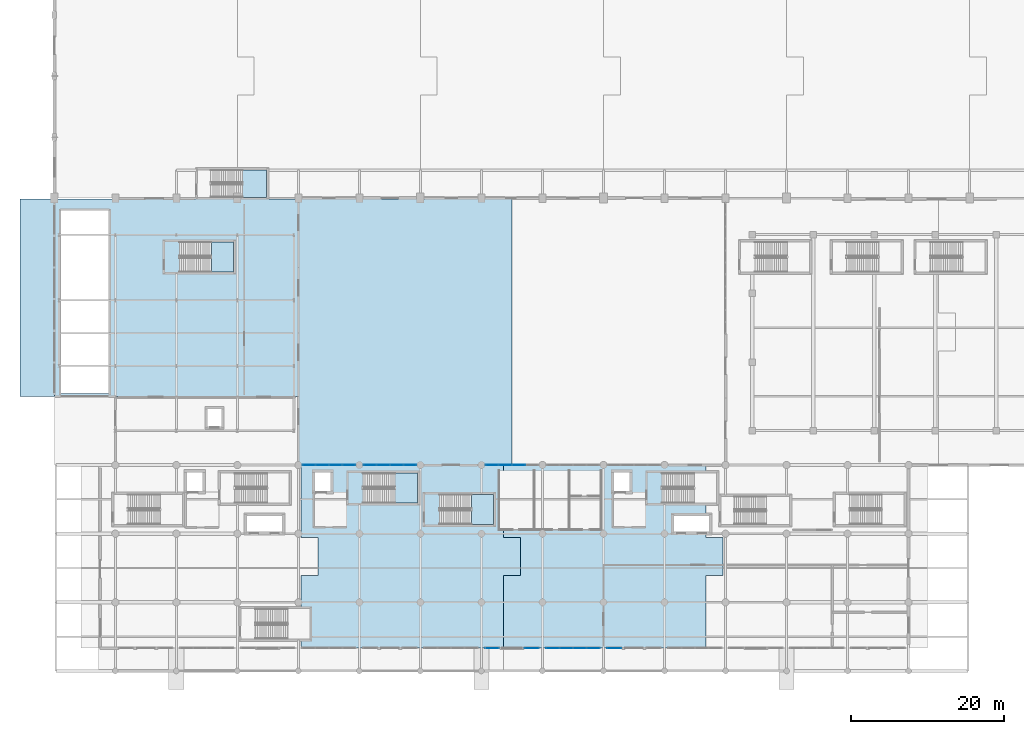
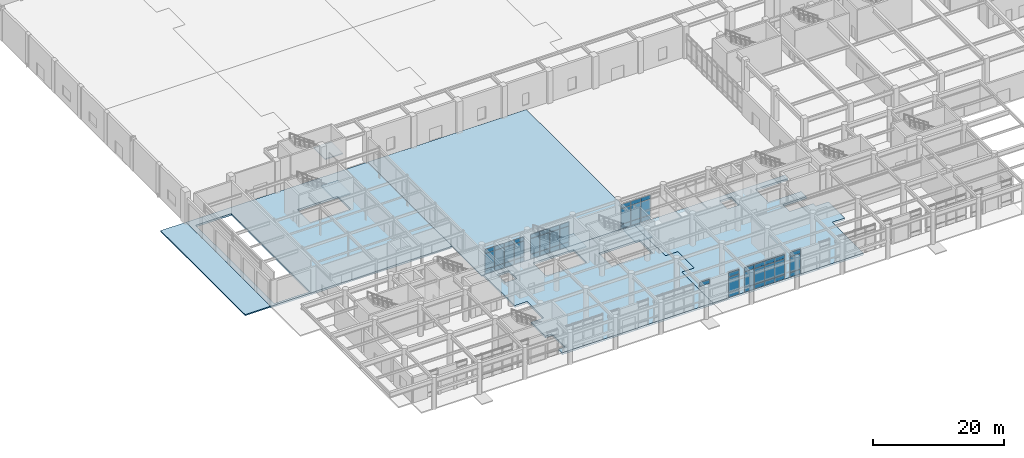
# One storey, part 20 of 49: 52 plates, 9 slabs, 11 elements without a shape of their own.
"""IFC4 building model written with IfcOpenShell, lengths in metres."""

from ifc_helpers import new_model, si_unit, direction, frame, origin, origin_2d, place, context, subcontext, project, spatial, polyline, rectangle, outline, extrude, material, layer, layer_set, type_object, element, aggregate, save


model = new_model("IFC4")

# Units and contexts
model_context = context("Model", 3, precision=1e-05, world=origin(), true_north=direction((0.0, 1.0)))
body_context = subcontext(model_context, "Body", "Model", "MODEL_VIEW")
ifc_project = project(units=[si_unit("LENGTHUNIT", "METRE"), si_unit("AREAUNIT", "SQUARE_METRE"), si_unit("VOLUMEUNIT", "CUBIC_METRE"), si_unit("PLANEANGLEUNIT", "RADIAN"), si_unit("MASSUNIT", "GRAM", prefix="KILO")], contexts=[model_context])

# Site, building, storey
site_placement = place(None, origin())
site = spatial("IfcSite", under=ifc_project, at=site_placement, CompositionType="ELEMENT")
building_placement = place(site_placement, origin())
building = spatial("IfcBuilding", under=site, at=building_placement, Name="Tlacozan Convention Centre", CompositionType="ELEMENT")
storey_placement = place(building_placement, origin())
storey = spatial("IfcBuildingStorey", under=building, at=storey_placement, Name="L00", CompositionType="ELEMENT", Elevation=0.0)

# Curtain wall, plates
ifc_material_1 = material(Name="Dark Bronze Anodised Aluminium", Category="aluminium")
ifc_layer_1 = layer(ifc_material_1, 0.199951171875)
ifc_layer_set_1 = layer_set([ifc_layer_1], Name="Dark Bronze Anodised Aluminium")
curtain_wall_type_1 = type_object("IfcCurtainWallType", Name="Unitised Courtyard Cloister L00 CW07", PredefinedType="NOTDEFINED", material=ifc_layer_set_1)
curtain_wall_1_placement = place(storey_placement, origin())
curtain_wall_1 = element("IfcCurtainWall", 1, at=curtain_wall_1_placement, inside=storey, type_object=curtain_wall_type_1, Name="L00 CW-07 Run 50", PredefinedType="NOTDEFINED")
ifc_material_2 = material(Name="Solar Control Double Low-E Argon Glazing", Category="glass")
ifc_layer_2 = layer(ifc_material_2, 0.030029296875)
ifc_layer_set_2 = layer_set([ifc_layer_2], Name="Solar Control Double Low-E Argon Glazing")
plate_type_1 = type_object("IfcPlateType", Name="Double Low-E Acoustic CW Panel 30", PredefinedType="CURTAIN_PANEL", material=ifc_layer_set_2)
plate_1_placement = place(storey_placement, frame((33.393798828125, 27.0, 0.074951171875), z_axis=(0.0, 0.0, 1.0), x_axis=(1.0, 0.0, 0.0)))
plate_1 = element("IfcPlate", 2, at=plate_1_placement, type_object=plate_type_1, Name="CW-07 panel 1.1", PredefinedType="CURTAIN_PANEL", context=body_context, shape_type="SweptSolid", body=[
    extrude(rectangle(XDim=1.637451171875, YDim=0.030029296875, at=origin_2d()), origin(), (0.0, 0.0, 1.0), 0.78759765625),
])
plate_2_placement = place(storey_placement, frame((33.393798828125, 27.0, 0.9375), z_axis=(0.0, 0.0, 1.0), x_axis=(1.0, 0.0, 0.0)))
plate_2 = element("IfcPlate", 3, at=plate_2_placement, type_object=plate_type_1, Name="CW-07 panel 1.2", PredefinedType="CURTAIN_PANEL", context=body_context, shape_type="SweptSolid", body=[
    extrude(rectangle(XDim=1.637451171875, YDim=0.030029296875, at=origin_2d()), origin(), (0.0, 0.0, 1.0), 2.875),
])
plate_3_placement = place(storey_placement, frame((33.393798828125, 27.0, 3.8876953125), z_axis=(0.0, 0.0, 1.0), x_axis=(1.0, 0.0, 0.0)))
plate_3 = element("IfcPlate", 4, at=plate_3_placement, type_object=plate_type_1, Name="CW-07 panel 1.3", PredefinedType="CURTAIN_PANEL", context=body_context, shape_type="SweptSolid", body=[
    extrude(rectangle(XDim=1.637451171875, YDim=0.030029296875, at=origin_2d()), origin(), (0.0, 0.0, 1.0), 0.737548828125),
])
plate_4_placement = place(storey_placement, frame((35.125, 27.0, 0.074951171875), z_axis=(0.0, 0.0, 1.0), x_axis=(1.0, 0.0, 0.0)))
plate_4 = element("IfcPlate", 5, at=plate_4_placement, type_object=plate_type_1, Name="CW-07 panel 2.1", PredefinedType="CURTAIN_PANEL", context=body_context, shape_type="SweptSolid", body=[
    extrude(rectangle(XDim=1.675048828125, YDim=0.030029296875, at=origin_2d()), origin(), (0.0, 0.0, 1.0), 0.78759765625),
])
plate_5_placement = place(storey_placement, frame((35.125, 27.0, 0.9375), z_axis=(0.0, 0.0, 1.0), x_axis=(1.0, 0.0, 0.0)))
plate_5 = element("IfcPlate", 6, at=plate_5_placement, type_object=plate_type_1, Name="CW-07 panel 2.2", PredefinedType="CURTAIN_PANEL", context=body_context, shape_type="SweptSolid", body=[
    extrude(rectangle(XDim=1.675048828125, YDim=0.030029296875, at=origin_2d()), origin(), (0.0, 0.0, 1.0), 2.875),
])
plate_6_placement = place(storey_placement, frame((35.125, 27.0, 3.8876953125), z_axis=(0.0, 0.0, 1.0), x_axis=(1.0, 0.0, 0.0)))
plate_6 = element("IfcPlate", 7, at=plate_6_placement, type_object=plate_type_1, Name="CW-07 panel 2.3", PredefinedType="CURTAIN_PANEL", context=body_context, shape_type="SweptSolid", body=[
    extrude(rectangle(XDim=1.675048828125, YDim=0.030029296875, at=origin_2d()), origin(), (0.0, 0.0, 1.0), 0.737548828125),
])
plate_7_placement = place(storey_placement, frame((36.875, 27.0, 0.074951171875), z_axis=(0.0, 0.0, 1.0), x_axis=(1.0, 0.0, 0.0)))
plate_7 = element("IfcPlate", 8, at=plate_7_placement, type_object=plate_type_1, Name="CW-07 panel 3.1", PredefinedType="CURTAIN_PANEL", context=body_context, shape_type="SweptSolid", body=[
    extrude(rectangle(XDim=1.675048828125, YDim=0.030029296875, at=origin_2d()), origin(), (0.0, 0.0, 1.0), 0.78759765625),
])
plate_8_placement = place(storey_placement, frame((36.875, 27.0, 0.9375), z_axis=(0.0, 0.0, 1.0), x_axis=(1.0, 0.0, 0.0)))
plate_8 = element("IfcPlate", 9, at=plate_8_placement, type_object=plate_type_1, Name="CW-07 panel 3.2", PredefinedType="CURTAIN_PANEL", context=body_context, shape_type="SweptSolid", body=[
    extrude(rectangle(XDim=1.675048828125, YDim=0.030029296875, at=origin_2d()), origin(), (0.0, 0.0, 1.0), 2.875),
])
plate_9_placement = place(storey_placement, frame((36.875, 27.0, 3.8876953125), z_axis=(0.0, 0.0, 1.0), x_axis=(1.0, 0.0, 0.0)))
plate_9 = element("IfcPlate", 10, at=plate_9_placement, type_object=plate_type_1, Name="CW-07 panel 3.3", PredefinedType="CURTAIN_PANEL", context=body_context, shape_type="SweptSolid", body=[
    extrude(rectangle(XDim=1.675048828125, YDim=0.030029296875, at=origin_2d()), origin(), (0.0, 0.0, 1.0), 0.737548828125),
])
plate_10_placement = place(storey_placement, frame((38.606201171875, 27.0, 0.074951171875), z_axis=(0.0, 0.0, 1.0), x_axis=(1.0, 0.0, 0.0)))
plate_10 = element("IfcPlate", 11, at=plate_10_placement, type_object=plate_type_1, Name="CW-07 panel 4.1", PredefinedType="CURTAIN_PANEL", context=body_context, shape_type="SweptSolid", body=[
    extrude(rectangle(XDim=1.637451171875, YDim=0.030029296875, at=origin_2d()), origin(), (0.0, 0.0, 1.0), 0.78759765625),
])
plate_11_placement = place(storey_placement, frame((38.606201171875, 27.0, 0.9375), z_axis=(0.0, 0.0, 1.0), x_axis=(1.0, 0.0, 0.0)))
plate_11 = element("IfcPlate", 12, at=plate_11_placement, type_object=plate_type_1, Name="CW-07 panel 4.2", PredefinedType="CURTAIN_PANEL", context=body_context, shape_type="SweptSolid", body=[
    extrude(rectangle(XDim=1.637451171875, YDim=0.030029296875, at=origin_2d()), origin(), (0.0, 0.0, 1.0), 2.875),
])
plate_12_placement = place(storey_placement, frame((38.606201171875, 27.0, 3.8876953125), z_axis=(0.0, 0.0, 1.0), x_axis=(1.0, 0.0, 0.0)))
plate_12 = element("IfcPlate", 13, at=plate_12_placement, type_object=plate_type_1, Name="CW-07 panel 4.3", PredefinedType="CURTAIN_PANEL", context=body_context, shape_type="SweptSolid", body=[
    extrude(rectangle(XDim=1.637451171875, YDim=0.030029296875, at=origin_2d()), origin(), (0.0, 0.0, 1.0), 0.737548828125),
])
aggregate(curtain_wall_1, [plate_1, plate_2, plate_3, plate_4, plate_5, plate_6, plate_7, plate_8, plate_9, plate_10, plate_11, plate_12])

curtain_wall_2_placement = place(storey_placement, origin())
curtain_wall_2 = element("IfcCurtainWall", 14, at=curtain_wall_2_placement, inside=storey, type_object=curtain_wall_type_1, Name="L00 CW-07 Run 51", PredefinedType="NOTDEFINED")
plate_13_placement = place(storey_placement, frame((41.393798828125, 27.0, 0.074951171875), z_axis=(0.0, 0.0, 1.0), x_axis=(1.0, 0.0, 0.0)))
plate_13 = element("IfcPlate", 15, at=plate_13_placement, type_object=plate_type_1, Name="CW-07 panel 1.1", PredefinedType="CURTAIN_PANEL", context=body_context, shape_type="SweptSolid", body=[
    extrude(rectangle(XDim=1.637451171875, YDim=0.030029296875, at=origin_2d()), origin(), (0.0, 0.0, 1.0), 0.78759765625),
])
plate_14_placement = place(storey_placement, frame((41.393798828125, 27.0, 0.9375), z_axis=(0.0, 0.0, 1.0), x_axis=(1.0, 0.0, 0.0)))
plate_14 = element("IfcPlate", 16, at=plate_14_placement, type_object=plate_type_1, Name="CW-07 panel 1.2", PredefinedType="CURTAIN_PANEL", context=body_context, shape_type="SweptSolid", body=[
    extrude(rectangle(XDim=1.637451171875, YDim=0.030029296875, at=origin_2d()), origin(), (0.0, 0.0, 1.0), 2.875),
])
plate_15_placement = place(storey_placement, frame((41.393798828125, 27.0, 3.8876953125), z_axis=(0.0, 0.0, 1.0), x_axis=(1.0, 0.0, 0.0)))
plate_15 = element("IfcPlate", 17, at=plate_15_placement, type_object=plate_type_1, Name="CW-07 panel 1.3", PredefinedType="CURTAIN_PANEL", context=body_context, shape_type="SweptSolid", body=[
    extrude(rectangle(XDim=1.637451171875, YDim=0.030029296875, at=origin_2d()), origin(), (0.0, 0.0, 1.0), 0.737548828125),
])
plate_16_placement = place(storey_placement, frame((43.125, 27.0, 0.074951171875), z_axis=(0.0, 0.0, 1.0), x_axis=(1.0, 0.0, 0.0)))
plate_16 = element("IfcPlate", 18, at=plate_16_placement, type_object=plate_type_1, Name="CW-07 panel 2.1", PredefinedType="CURTAIN_PANEL", context=body_context, shape_type="SweptSolid", body=[
    extrude(rectangle(XDim=1.675048828125, YDim=0.030029296875, at=origin_2d()), origin(), (0.0, 0.0, 1.0), 0.78759765625),
])
plate_17_placement = place(storey_placement, frame((43.125, 27.0, 0.9375), z_axis=(0.0, 0.0, 1.0), x_axis=(1.0, 0.0, 0.0)))
plate_17 = element("IfcPlate", 19, at=plate_17_placement, type_object=plate_type_1, Name="CW-07 panel 2.2", PredefinedType="CURTAIN_PANEL", context=body_context, shape_type="SweptSolid", body=[
    extrude(rectangle(XDim=1.675048828125, YDim=0.030029296875, at=origin_2d()), origin(), (0.0, 0.0, 1.0), 2.875),
])
plate_18_placement = place(storey_placement, frame((43.125, 27.0, 3.8876953125), z_axis=(0.0, 0.0, 1.0), x_axis=(1.0, 0.0, 0.0)))
plate_18 = element("IfcPlate", 20, at=plate_18_placement, type_object=plate_type_1, Name="CW-07 panel 2.3", PredefinedType="CURTAIN_PANEL", context=body_context, shape_type="SweptSolid", body=[
    extrude(rectangle(XDim=1.675048828125, YDim=0.030029296875, at=origin_2d()), origin(), (0.0, 0.0, 1.0), 0.737548828125),
])
plate_19_placement = place(storey_placement, frame((44.875, 27.0, 0.074951171875), z_axis=(0.0, 0.0, 1.0), x_axis=(1.0, 0.0, 0.0)))
plate_19 = element("IfcPlate", 21, at=plate_19_placement, type_object=plate_type_1, Name="CW-07 panel 3.1", PredefinedType="CURTAIN_PANEL", context=body_context, shape_type="SweptSolid", body=[
    extrude(rectangle(XDim=1.675048828125, YDim=0.030029296875, at=origin_2d()), origin(), (0.0, 0.0, 1.0), 0.78759765625),
])
plate_20_placement = place(storey_placement, frame((44.875, 27.0, 0.9375), z_axis=(0.0, 0.0, 1.0), x_axis=(1.0, 0.0, 0.0)))
plate_20 = element("IfcPlate", 22, at=plate_20_placement, type_object=plate_type_1, Name="CW-07 panel 3.2", PredefinedType="CURTAIN_PANEL", context=body_context, shape_type="SweptSolid", body=[
    extrude(rectangle(XDim=1.675048828125, YDim=0.030029296875, at=origin_2d()), origin(), (0.0, 0.0, 1.0), 2.875),
])
plate_21_placement = place(storey_placement, frame((44.875, 27.0, 3.8876953125), z_axis=(0.0, 0.0, 1.0), x_axis=(1.0, 0.0, 0.0)))
plate_21 = element("IfcPlate", 23, at=plate_21_placement, type_object=plate_type_1, Name="CW-07 panel 3.3", PredefinedType="CURTAIN_PANEL", context=body_context, shape_type="SweptSolid", body=[
    extrude(rectangle(XDim=1.675048828125, YDim=0.030029296875, at=origin_2d()), origin(), (0.0, 0.0, 1.0), 0.737548828125),
])
plate_22_placement = place(storey_placement, frame((46.606201171875, 27.0, 0.074951171875), z_axis=(0.0, 0.0, 1.0), x_axis=(1.0, 0.0, 0.0)))
plate_22 = element("IfcPlate", 24, at=plate_22_placement, type_object=plate_type_1, Name="CW-07 panel 4.1", PredefinedType="CURTAIN_PANEL", context=body_context, shape_type="SweptSolid", body=[
    extrude(rectangle(XDim=1.637451171875, YDim=0.030029296875, at=origin_2d()), origin(), (0.0, 0.0, 1.0), 0.78759765625),
])
plate_23_placement = place(storey_placement, frame((46.606201171875, 27.0, 0.9375), z_axis=(0.0, 0.0, 1.0), x_axis=(1.0, 0.0, 0.0)))
plate_23 = element("IfcPlate", 25, at=plate_23_placement, type_object=plate_type_1, Name="CW-07 panel 4.2", PredefinedType="CURTAIN_PANEL", context=body_context, shape_type="SweptSolid", body=[
    extrude(rectangle(XDim=1.637451171875, YDim=0.030029296875, at=origin_2d()), origin(), (0.0, 0.0, 1.0), 2.875),
])
plate_24_placement = place(storey_placement, frame((46.606201171875, 27.0, 3.8876953125), z_axis=(0.0, 0.0, 1.0), x_axis=(1.0, 0.0, 0.0)))
plate_24 = element("IfcPlate", 26, at=plate_24_placement, type_object=plate_type_1, Name="CW-07 panel 4.3", PredefinedType="CURTAIN_PANEL", context=body_context, shape_type="SweptSolid", body=[
    extrude(rectangle(XDim=1.637451171875, YDim=0.030029296875, at=origin_2d()), origin(), (0.0, 0.0, 1.0), 0.737548828125),
])
aggregate(curtain_wall_2, [plate_13, plate_14, plate_15, plate_16, plate_17, plate_18, plate_19, plate_20, plate_21, plate_22, plate_23, plate_24])

curtain_wall_3_placement = place(storey_placement, origin())
curtain_wall_3 = element("IfcCurtainWall", 27, at=curtain_wall_3_placement, inside=storey, type_object=curtain_wall_type_1, Name="L00 CW-07 Run 52", PredefinedType="NOTDEFINED")
plate_25_placement = place(storey_placement, frame((57.393798828125, 27.0, 0.074951171875), z_axis=(0.0, 0.0, 1.0), x_axis=(1.0, 0.0, 0.0)))
plate_25 = element("IfcPlate", 28, at=plate_25_placement, type_object=plate_type_1, Name="CW-07 panel 1.1", PredefinedType="CURTAIN_PANEL", context=body_context, shape_type="SweptSolid", body=[
    extrude(rectangle(XDim=1.637451171875, YDim=0.030029296875, at=origin_2d()), origin(), (0.0, 0.0, 1.0), 0.78759765625),
])
plate_26_placement = place(storey_placement, frame((57.393798828125, 27.0, 0.9375), z_axis=(0.0, 0.0, 1.0), x_axis=(1.0, 0.0, 0.0)))
plate_26 = element("IfcPlate", 29, at=plate_26_placement, type_object=plate_type_1, Name="CW-07 panel 1.2", PredefinedType="CURTAIN_PANEL", context=body_context, shape_type="SweptSolid", body=[
    extrude(rectangle(XDim=1.637451171875, YDim=0.030029296875, at=origin_2d()), origin(), (0.0, 0.0, 1.0), 2.875),
])
plate_27_placement = place(storey_placement, frame((57.393798828125, 27.0, 3.8876953125), z_axis=(0.0, 0.0, 1.0), x_axis=(1.0, 0.0, 0.0)))
plate_27 = element("IfcPlate", 30, at=plate_27_placement, type_object=plate_type_1, Name="CW-07 panel 1.3", PredefinedType="CURTAIN_PANEL", context=body_context, shape_type="SweptSolid", body=[
    extrude(rectangle(XDim=1.637451171875, YDim=0.030029296875, at=origin_2d()), origin(), (0.0, 0.0, 1.0), 0.737548828125),
])
plate_28_placement = place(storey_placement, frame((59.125, 27.0, 0.074951171875), z_axis=(0.0, 0.0, 1.0), x_axis=(1.0, 0.0, 0.0)))
plate_28 = element("IfcPlate", 31, at=plate_28_placement, type_object=plate_type_1, Name="CW-07 panel 2.1", PredefinedType="CURTAIN_PANEL", context=body_context, shape_type="SweptSolid", body=[
    extrude(rectangle(XDim=1.675048828125, YDim=0.030029296875, at=origin_2d()), origin(), (0.0, 0.0, 1.0), 0.78759765625),
])
plate_29_placement = place(storey_placement, frame((59.125, 27.0, 0.9375), z_axis=(0.0, 0.0, 1.0), x_axis=(1.0, 0.0, 0.0)))
plate_29 = element("IfcPlate", 32, at=plate_29_placement, type_object=plate_type_1, Name="CW-07 panel 2.2", PredefinedType="CURTAIN_PANEL", context=body_context, shape_type="SweptSolid", body=[
    extrude(rectangle(XDim=1.675048828125, YDim=0.030029296875, at=origin_2d()), origin(), (0.0, 0.0, 1.0), 2.875),
])
plate_30_placement = place(storey_placement, frame((59.125, 27.0, 3.8876953125), z_axis=(0.0, 0.0, 1.0), x_axis=(1.0, 0.0, 0.0)))
plate_30 = element("IfcPlate", 33, at=plate_30_placement, type_object=plate_type_1, Name="CW-07 panel 2.3", PredefinedType="CURTAIN_PANEL", context=body_context, shape_type="SweptSolid", body=[
    extrude(rectangle(XDim=1.675048828125, YDim=0.030029296875, at=origin_2d()), origin(), (0.0, 0.0, 1.0), 0.737548828125),
])
plate_31_placement = place(storey_placement, frame((60.875, 27.0, 0.074951171875), z_axis=(0.0, 0.0, 1.0), x_axis=(1.0, 0.0, 0.0)))
plate_31 = element("IfcPlate", 34, at=plate_31_placement, type_object=plate_type_1, Name="CW-07 panel 3.1", PredefinedType="CURTAIN_PANEL", context=body_context, shape_type="SweptSolid", body=[
    extrude(rectangle(XDim=1.675048828125, YDim=0.030029296875, at=origin_2d()), origin(), (0.0, 0.0, 1.0), 0.78759765625),
])
plate_32_placement = place(storey_placement, frame((60.875, 27.0, 0.9375), z_axis=(0.0, 0.0, 1.0), x_axis=(1.0, 0.0, 0.0)))
plate_32 = element("IfcPlate", 35, at=plate_32_placement, type_object=plate_type_1, Name="CW-07 panel 3.2", PredefinedType="CURTAIN_PANEL", context=body_context, shape_type="SweptSolid", body=[
    extrude(rectangle(XDim=1.675048828125, YDim=0.030029296875, at=origin_2d()), origin(), (0.0, 0.0, 1.0), 2.875),
])
plate_33_placement = place(storey_placement, frame((60.875, 27.0, 3.8876953125), z_axis=(0.0, 0.0, 1.0), x_axis=(1.0, 0.0, 0.0)))
plate_33 = element("IfcPlate", 36, at=plate_33_placement, type_object=plate_type_1, Name="CW-07 panel 3.3", PredefinedType="CURTAIN_PANEL", context=body_context, shape_type="SweptSolid", body=[
    extrude(rectangle(XDim=1.675048828125, YDim=0.030029296875, at=origin_2d()), origin(), (0.0, 0.0, 1.0), 0.737548828125),
])
aggregate(curtain_wall_3, [plate_25, plate_26, plate_27, plate_28, plate_29, plate_30, plate_31, plate_32, plate_33])

# Curtain wall, plate
ifc_layer_3 = layer(ifc_material_1, 0.159912109375)
ifc_layer_set_3 = layer_set([ifc_layer_3], Name="Dark Bronze Anodised Aluminium")
curtain_wall_type_2 = type_object("IfcCurtainWallType", Name="Unitised Concourse Curtain Wall CW01", PredefinedType="NOTDEFINED", material=ifc_layer_set_3)
curtain_wall_4_placement = place(storey_placement, origin())
curtain_wall_4 = element("IfcCurtainWall", 37, at=curtain_wall_4_placement, inside=storey, type_object=curtain_wall_type_2, Name="L00 CW-01 Run 39", PredefinedType="NOTDEFINED")
ifc_layer_4 = layer(ifc_material_2, 0.02001953125)
ifc_layer_set_4 = layer_set([ifc_layer_4], Name="Solar Control Double Low-E Argon Glazing")
plate_type_2 = type_object("IfcPlateType", Name="Double Low-E Glazed CW Panel 20", PredefinedType="CURTAIN_PANEL", material=ifc_layer_set_4)
plate_34_placement = place(storey_placement, frame((57.4150390625, 3.0, 3.882568359375), z_axis=(0.0, 0.0, 1.0), x_axis=(1.0, 0.0, 0.0)))
plate_34 = element("IfcPlate", 38, at=plate_34_placement, type_object=plate_type_2, Name="CW-01 panel 1.3", PredefinedType="CURTAIN_PANEL", context=body_context, shape_type="SweptSolid", body=[
    extrude(rectangle(XDim=1.800048828125, YDim=0.02001953125, at=origin_2d()), origin(), (0.0, 0.0, 1.0), 0.75244140625),
])
aggregate(curtain_wall_4, [plate_34])

# Curtain wall, plates
curtain_wall_5_placement = place(storey_placement, origin())
curtain_wall_5 = element("IfcCurtainWall", 39, at=curtain_wall_5_placement, inside=storey, type_object=curtain_wall_type_2, Name="L00 CW-01 Run 40", PredefinedType="NOTDEFINED")
plate_35_placement = place(storey_placement, frame((62.5849609375, 3.0, 0.06494140625), z_axis=(0.0, 0.0, 1.0), x_axis=(1.0, 0.0, 0.0)))
plate_35 = element("IfcPlate", 40, at=plate_35_placement, type_object=plate_type_2, Name="CW-01 panel 1.1", PredefinedType="CURTAIN_PANEL", context=body_context, shape_type="SweptSolid", body=[
    extrude(rectangle(XDim=1.800048828125, YDim=0.02001953125, at=origin_2d()), origin(), (0.0, 0.0, 1.0), 0.802490234375),
])
plate_36_placement = place(storey_placement, frame((62.5849609375, 3.0, 0.9326171875), z_axis=(0.0, 0.0, 1.0), x_axis=(1.0, 0.0, 0.0)))
plate_36 = element("IfcPlate", 41, at=plate_36_placement, type_object=plate_type_2, Name="CW-01 panel 1.2", PredefinedType="CURTAIN_PANEL", context=body_context, shape_type="SweptSolid", body=[
    extrude(rectangle(XDim=1.800048828125, YDim=0.02001953125, at=origin_2d()), origin(), (0.0, 0.0, 1.0), 2.885009765625),
])
plate_37_placement = place(storey_placement, frame((62.5849609375, 3.0, 3.882568359375), z_axis=(0.0, 0.0, 1.0), x_axis=(1.0, 0.0, 0.0)))
plate_37 = element("IfcPlate", 42, at=plate_37_placement, type_object=plate_type_2, Name="CW-01 panel 1.3", PredefinedType="CURTAIN_PANEL", context=body_context, shape_type="SweptSolid", body=[
    extrude(rectangle(XDim=1.800048828125, YDim=0.02001953125, at=origin_2d()), origin(), (0.0, 0.0, 1.0), 0.75244140625),
])
aggregate(curtain_wall_5, [plate_35, plate_36, plate_37])

curtain_wall_6_placement = place(storey_placement, origin())
curtain_wall_6 = element("IfcCurtainWall", 43, at=curtain_wall_6_placement, inside=storey, type_object=curtain_wall_type_2, Name="L00 CW-01 Run 41", PredefinedType="NOTDEFINED")
plate_38_placement = place(storey_placement, frame((65.353759765625, 3.0, 0.06494140625), z_axis=(0.0, 0.0, 1.0), x_axis=(1.0, 0.0, 0.0)))
plate_38 = element("IfcPlate", 44, at=plate_38_placement, type_object=plate_type_2, Name="CW-01 panel 1.1", PredefinedType="CURTAIN_PANEL", context=body_context, shape_type="SweptSolid", body=[
    extrude(rectangle(XDim=1.677490234375, YDim=0.02001953125, at=origin_2d()), origin(), (0.0, 0.0, 1.0), 0.802490234375),
])
plate_39_placement = place(storey_placement, frame((65.353759765625, 3.0, 0.9326171875), z_axis=(0.0, 0.0, 1.0), x_axis=(1.0, 0.0, 0.0)))
plate_39 = element("IfcPlate", 45, at=plate_39_placement, type_object=plate_type_2, Name="CW-01 panel 1.2", PredefinedType="CURTAIN_PANEL", context=body_context, shape_type="SweptSolid", body=[
    extrude(rectangle(XDim=1.677490234375, YDim=0.02001953125, at=origin_2d()), origin(), (0.0, 0.0, 1.0), 2.885009765625),
])
plate_40_placement = place(storey_placement, frame((65.353759765625, 3.0, 3.882568359375), z_axis=(0.0, 0.0, 1.0), x_axis=(1.0, 0.0, 0.0)))
plate_40 = element("IfcPlate", 46, at=plate_40_placement, type_object=plate_type_2, Name="CW-01 panel 1.3", PredefinedType="CURTAIN_PANEL", context=body_context, shape_type="SweptSolid", body=[
    extrude(rectangle(XDim=1.677490234375, YDim=0.02001953125, at=origin_2d()), origin(), (0.0, 0.0, 1.0), 0.75244140625),
])
plate_41_placement = place(storey_placement, frame((67.112548828125, 3.0, 0.06494140625), z_axis=(0.0, 0.0, 1.0), x_axis=(1.0, 0.0, 0.0)))
plate_41 = element("IfcPlate", 47, at=plate_41_placement, type_object=plate_type_2, Name="CW-01 panel 2.1", PredefinedType="CURTAIN_PANEL", context=body_context, shape_type="SweptSolid", body=[
    extrude(rectangle(XDim=1.7099609375, YDim=0.02001953125, at=origin_2d()), origin(), (0.0, 0.0, 1.0), 0.802490234375),
])
plate_42_placement = place(storey_placement, frame((67.112548828125, 3.0, 0.9326171875), z_axis=(0.0, 0.0, 1.0), x_axis=(1.0, 0.0, 0.0)))
plate_42 = element("IfcPlate", 48, at=plate_42_placement, type_object=plate_type_2, Name="CW-01 panel 2.2", PredefinedType="CURTAIN_PANEL", context=body_context, shape_type="SweptSolid", body=[
    extrude(rectangle(XDim=1.7099609375, YDim=0.02001953125, at=origin_2d()), origin(), (0.0, 0.0, 1.0), 2.885009765625),
])
plate_43_placement = place(storey_placement, frame((67.112548828125, 3.0, 3.882568359375), z_axis=(0.0, 0.0, 1.0), x_axis=(1.0, 0.0, 0.0)))
plate_43 = element("IfcPlate", 49, at=plate_43_placement, type_object=plate_type_2, Name="CW-01 panel 2.3", PredefinedType="CURTAIN_PANEL", context=body_context, shape_type="SweptSolid", body=[
    extrude(rectangle(XDim=1.7099609375, YDim=0.02001953125, at=origin_2d()), origin(), (0.0, 0.0, 1.0), 0.75244140625),
])
plate_44_placement = place(storey_placement, frame((68.887451171875, 3.0, 0.06494140625), z_axis=(0.0, 0.0, 1.0), x_axis=(1.0, 0.0, 0.0)))
plate_44 = element("IfcPlate", 50, at=plate_44_placement, type_object=plate_type_2, Name="CW-01 panel 3.1", PredefinedType="CURTAIN_PANEL", context=body_context, shape_type="SweptSolid", body=[
    extrude(rectangle(XDim=1.7099609375, YDim=0.02001953125, at=origin_2d()), origin(), (0.0, 0.0, 1.0), 0.802490234375),
])
plate_45_placement = place(storey_placement, frame((68.887451171875, 3.0, 0.9326171875), z_axis=(0.0, 0.0, 1.0), x_axis=(1.0, 0.0, 0.0)))
plate_45 = element("IfcPlate", 51, at=plate_45_placement, type_object=plate_type_2, Name="CW-01 panel 3.2", PredefinedType="CURTAIN_PANEL", context=body_context, shape_type="SweptSolid", body=[
    extrude(rectangle(XDim=1.7099609375, YDim=0.02001953125, at=origin_2d()), origin(), (0.0, 0.0, 1.0), 2.885009765625),
])
plate_46_placement = place(storey_placement, frame((68.887451171875, 3.0, 3.882568359375), z_axis=(0.0, 0.0, 1.0), x_axis=(1.0, 0.0, 0.0)))
plate_46 = element("IfcPlate", 52, at=plate_46_placement, type_object=plate_type_2, Name="CW-01 panel 3.3", PredefinedType="CURTAIN_PANEL", context=body_context, shape_type="SweptSolid", body=[
    extrude(rectangle(XDim=1.7099609375, YDim=0.02001953125, at=origin_2d()), origin(), (0.0, 0.0, 1.0), 0.75244140625),
])
plate_47_placement = place(storey_placement, frame((70.646240234375, 3.0, 0.06494140625), z_axis=(0.0, 0.0, 1.0), x_axis=(1.0, 0.0, 0.0)))
plate_47 = element("IfcPlate", 53, at=plate_47_placement, type_object=plate_type_2, Name="CW-01 panel 4.1", PredefinedType="CURTAIN_PANEL", context=body_context, shape_type="SweptSolid", body=[
    extrude(rectangle(XDim=1.677490234375, YDim=0.02001953125, at=origin_2d()), origin(), (0.0, 0.0, 1.0), 0.802490234375),
])
plate_48_placement = place(storey_placement, frame((70.646240234375, 3.0, 0.9326171875), z_axis=(0.0, 0.0, 1.0), x_axis=(1.0, 0.0, 0.0)))
plate_48 = element("IfcPlate", 54, at=plate_48_placement, type_object=plate_type_2, Name="CW-01 panel 4.2", PredefinedType="CURTAIN_PANEL", context=body_context, shape_type="SweptSolid", body=[
    extrude(rectangle(XDim=1.677490234375, YDim=0.02001953125, at=origin_2d()), origin(), (0.0, 0.0, 1.0), 2.885009765625),
])
plate_49_placement = place(storey_placement, frame((70.646240234375, 3.0, 3.882568359375), z_axis=(0.0, 0.0, 1.0), x_axis=(1.0, 0.0, 0.0)))
plate_49 = element("IfcPlate", 55, at=plate_49_placement, type_object=plate_type_2, Name="CW-01 panel 4.3", PredefinedType="CURTAIN_PANEL", context=body_context, shape_type="SweptSolid", body=[
    extrude(rectangle(XDim=1.677490234375, YDim=0.02001953125, at=origin_2d()), origin(), (0.0, 0.0, 1.0), 0.75244140625),
])
aggregate(curtain_wall_6, [plate_38, plate_39, plate_40, plate_41, plate_42, plate_43, plate_44, plate_45, plate_46, plate_47, plate_48, plate_49])

curtain_wall_7_placement = place(storey_placement, origin())
curtain_wall_7 = element("IfcCurtainWall", 56, at=curtain_wall_7_placement, inside=storey, type_object=curtain_wall_type_2, Name="L00 CW-01 Run 42", PredefinedType="NOTDEFINED")
plate_50_placement = place(storey_placement, frame((73.4150390625, 3.0, 0.06494140625), z_axis=(0.0, 0.0, 1.0), x_axis=(1.0, 0.0, 0.0)))
plate_50 = element("IfcPlate", 57, at=plate_50_placement, type_object=plate_type_2, Name="CW-01 panel 1.1", PredefinedType="CURTAIN_PANEL", context=body_context, shape_type="SweptSolid", body=[
    extrude(rectangle(XDim=1.800048828125, YDim=0.02001953125, at=origin_2d()), origin(), (0.0, 0.0, 1.0), 0.802490234375),
])
plate_51_placement = place(storey_placement, frame((73.4150390625, 3.0, 0.9326171875), z_axis=(0.0, 0.0, 1.0), x_axis=(1.0, 0.0, 0.0)))
plate_51 = element("IfcPlate", 58, at=plate_51_placement, type_object=plate_type_2, Name="CW-01 panel 1.2", PredefinedType="CURTAIN_PANEL", context=body_context, shape_type="SweptSolid", body=[
    extrude(rectangle(XDim=1.800048828125, YDim=0.02001953125, at=origin_2d()), origin(), (0.0, 0.0, 1.0), 2.885009765625),
])
plate_52_placement = place(storey_placement, frame((73.4150390625, 3.0, 3.882568359375), z_axis=(0.0, 0.0, 1.0), x_axis=(1.0, 0.0, 0.0)))
plate_52 = element("IfcPlate", 59, at=plate_52_placement, type_object=plate_type_2, Name="CW-01 panel 1.3", PredefinedType="CURTAIN_PANEL", context=body_context, shape_type="SweptSolid", body=[
    extrude(rectangle(XDim=1.800048828125, YDim=0.02001953125, at=origin_2d()), origin(), (0.0, 0.0, 1.0), 0.75244140625),
])
aggregate(curtain_wall_7, [plate_50, plate_51, plate_52])

# Slabs
ifc_material_3 = material(Name="Concrete C35/45", Category="concrete")
ifc_layer_5 = layer(ifc_material_3, 0.18994140625)
ifc_layer_set_5 = layer_set([ifc_layer_5], Name="Concrete C35/45")
slab_type_1 = type_object("IfcSlabType", Name="Outdoor Cantera Courtyard Paving 190", PredefinedType="FLOOR", material=ifc_layer_set_5)
slab_1_placement = place(storey_placement, frame((0.0, 0.0, -0.18994140625)))
element("IfcSlab", 60, at=slab_1_placement, inside=storey, type_object=slab_type_1, Name="L00 Outdoor Cantera Courtyard Paving 190 50", PredefinedType="FLOOR", context=body_context, shape_type="SweptSolid", body=[
    extrude(outline(polyline([(32.0, 27.0), (32.0, 61.85009765625), (60.0, 61.85009765625), (60.0, 27.0), (32.0, 27.0)])), origin(), (0.0, 0.0, 1.0), 0.18994140625),
])
ifc_layer_6 = layer(ifc_material_3, 0.2099609375)
ifc_layer_set_6 = layer_set([ifc_layer_6], Name="Concrete C35/45")
slab_type_2 = type_object("IfcSlabType", Name="Outdoor Park Colonnade Plinth 210", PredefinedType="FLOOR", material=ifc_layer_set_6)
slab_2_placement = place(storey_placement, frame((0.0, 0.0, -0.2099609375)))
element("IfcSlab", 61, at=slab_2_placement, inside=storey, type_object=slab_type_2, Name="WB-67 Freight Loading Dock Exterior Apron", PredefinedType="FLOOR", context=body_context, shape_type="SweptSolid", body=[
    extrude(outline(polyline([(-4.5, 36.0), (0.0, 36.0), (0.0, 61.85009765625), (-4.5, 61.85009765625), (-4.5, 36.0)])), origin(), (0.0, 0.0, 1.0), 0.2099609375),
])
ifc_material_4 = material(Name="Concrete C40/50", Category="concrete")
ifc_layer_7 = layer(ifc_material_4, 0.360107421875)
ifc_layer_set_7 = layer_set([ifc_layer_7], Name="Concrete C40/50")
slab_type_3 = type_object("IfcSlabType", Name="Podium Ground Floor Slab 360", PredefinedType="FLOOR", material=ifc_layer_set_7)
slab_3_placement = place(storey_placement, frame((0.0, 0.0, -0.360107421875)))
element("IfcSlab", 62, at=slab_3_placement, inside=storey, type_object=slab_type_3, Name="L00 Podium Ground Floor Slab 360 25", PredefinedType="FLOOR", context=body_context, shape_type="SweptSolid", body=[
    extrude(outline(polyline([(32.35009765625, 4.199951171875), (33.5, 4.199951171875), (33.5, 8.159912109375), (32.35009765625, 8.159912109375), (32.35009765625, 12.5), (34.550048828125, 12.5), (34.550048828125, 17.5), (32.35009765625, 17.5), (32.35009765625, 27.0), (58.89990234375, 27.0), (58.89990234375, 17.5), (61.10009765625, 17.5), (61.10009765625, 12.5), (58.89990234375, 12.5), (58.89990234375, 3.0), (32.35009765625, 3.0), (32.35009765625, 4.199951171875)]), holes=[polyline([(57.60009765625, 19.199951171875), (57.60009765625, 23.159912109375), (50.47998046875, 23.159912109375), (50.47998046875, 19.199951171875), (57.60009765625, 19.199951171875)]), polyline([(40.47998046875, 22.0), (47.60009765625, 22.0), (47.60009765625, 25.9599609375), (40.47998046875, 25.9599609375), (40.47998046875, 22.0)]), polyline([(36.219970703125, 23.580078125), (36.219970703125, 26.02001953125), (34.179931640625, 26.02001953125), (34.179931640625, 23.580078125), (36.219970703125, 23.580078125)])]), origin(), (0.0, 0.0, 1.0), 0.360107421875),
])
slab_4_placement = place(storey_placement, frame((0.0, 0.0, -0.360107421875)))
element("IfcSlab", 63, at=slab_4_placement, inside=storey, type_object=slab_type_3, Name="L00 Podium Ground Floor Slab 360 26", PredefinedType="FLOOR", context=body_context, shape_type="SweptSolid", body=[
    extrude(outline(polyline([(58.89990234375, 12.5), (61.10009765625, 12.5), (61.10009765625, 17.5), (58.89990234375, 17.5), (58.89990234375, 27.0), (85.449951171875, 27.0), (85.449951171875, 25.9599609375), (79.679931640625, 25.9599609375), (79.679931640625, 22.0), (85.449951171875, 22.0), (85.449951171875, 20.330078125), (81.27001953125, 20.330078125), (81.27001953125, 18.27001953125), (85.449951171875, 18.27001953125), (85.449951171875, 17.5), (87.64990234375, 17.5), (87.64990234375, 12.5), (85.449951171875, 12.5), (85.449951171875, 3.0), (58.89990234375, 3.0), (58.89990234375, 12.5)]), holes=[polyline([(75.419921875, 23.580078125), (75.419921875, 26.02001953125), (73.3798828125, 26.02001953125), (73.3798828125, 23.580078125), (75.419921875, 23.580078125)])]), origin(), (0.0, 0.0, 1.0), 0.360107421875),
])
slab_5_placement = place(storey_placement, frame((0.0, 0.0, -0.360107421875)))
element("IfcSlab", 64, at=slab_5_placement, inside=storey, type_object=slab_type_3, Name="L00 Podium Ground Floor Slab 360 48", PredefinedType="FLOOR", context=body_context, shape_type="SweptSolid", body=[
    extrude(outline(polyline([(0.0, 36.0), (0.0, 61.85009765625), (32.0, 61.85009765625), (32.0, 36.0), (0.0, 36.0)]), holes=[polyline([(7.14990234375, 36.39990234375), (7.14990234375, 60.39990234375), (0.85009765625, 60.39990234375), (0.85009765625, 36.39990234375), (7.14990234375, 36.39990234375)]), polyline([(16.3798828125, 52.300048828125), (23.5, 52.300048828125), (23.5, 56.260009765625), (16.3798828125, 56.260009765625), (16.3798828125, 52.300048828125)])]), origin(), (0.0, 0.0, 1.0), 0.360107421875),
])

# Stair, slab
stair_type_1 = type_object("IfcStairType", Name="Protected Dogleg Stair W188 H60", PredefinedType="HALF_TURN_STAIR", material=ifc_material_4)
stair_1_placement = place(storey_placement, origin())
stair_1 = element("IfcStair", 65, at=stair_1_placement, inside=storey, type_object=stair_type_1, Name="L00 Central Congress Core Stair ST-04", PredefinedType="HALF_TURN_STAIR")
ifc_layer_8 = layer(ifc_material_4, 0.199951171875)
ifc_layer_set_8 = layer_set([ifc_layer_8], Name="Concrete C40/50")
slab_type_4 = type_object("IfcSlabType", Name="Stair Half Landing Slab 200", PredefinedType="LANDING", material=ifc_layer_set_8)
slab_6_placement = place(storey_placement, frame((0.0, 0.0, 2.800048828125)))
slab_6 = element("IfcSlab", 66, at=slab_6_placement, type_object=slab_type_4, Name="ST-04 landing 1", PredefinedType="LANDING", context=body_context, shape_type="SweptSolid", body=[
    extrude(outline(polyline([(44.679931640625, 22.0), (47.60009765625, 22.0), (47.60009765625, 25.9599609375), (44.679931640625, 25.9599609375), (44.679931640625, 22.0)])), origin(), (0.0, 0.0, 1.0), 0.199951171875),
])
aggregate(stair_1, [slab_6])

stair_2_placement = place(storey_placement, origin())
stair_2 = element("IfcStair", 67, at=stair_2_placement, inside=storey, type_object=stair_type_1, Name="L00 Central Promenade Congress Stair", PredefinedType="HALF_TURN_STAIR")
slab_7_placement = place(storey_placement, frame((0.0, 0.0, 2.800048828125)))
slab_7 = element("IfcSlab", 68, at=slab_7_placement, type_object=slab_type_4, Name="ST-14 landing 1", PredefinedType="LANDING", context=body_context, shape_type="SweptSolid", body=[
    extrude(outline(polyline([(54.679931640625, 19.199951171875), (57.60009765625, 19.199951171875), (57.60009765625, 23.159912109375), (54.679931640625, 23.159912109375), (54.679931640625, 19.199951171875)])), origin(), (0.0, 0.0, 1.0), 0.199951171875),
])
aggregate(stair_2, [slab_7])

stair_3_placement = place(storey_placement, origin())
stair_3 = element("IfcStair", 69, at=stair_3_placement, inside=storey, type_object=stair_type_1, Name="L00 Service Wing Stair", PredefinedType="HALF_TURN_STAIR")
slab_8_placement = place(storey_placement, frame((0.0, 0.0, 2.800048828125)))
slab_8 = element("IfcSlab", 70, at=slab_8_placement, type_object=slab_type_4, Name="ST-09 landing 1", PredefinedType="LANDING", context=body_context, shape_type="SweptSolid", body=[
    extrude(outline(polyline([(20.580078125, 52.300048828125), (23.5, 52.300048828125), (23.5, 56.260009765625), (20.580078125, 56.260009765625), (20.580078125, 52.300048828125)])), origin(), (0.0, 0.0, 1.0), 0.199951171875),
])
aggregate(stair_3, [slab_8])

stair_type_2 = type_object("IfcStairType", Name="Protected Dogleg Stair W170 H60", PredefinedType="HALF_TURN_STAIR", material=ifc_material_4)
stair_4_placement = place(storey_placement, origin())
stair_4 = element("IfcStair", 71, at=stair_4_placement, inside=storey, type_object=stair_type_2, Name="L00 Exhibition West Stair", PredefinedType="HALF_TURN_STAIR")
slab_9_placement = place(storey_placement, frame((0.0, 0.0, 2.800048828125)))
slab_9 = element("IfcSlab", 72, at=slab_9_placement, type_object=slab_type_4, Name="ST-10 landing 1", PredefinedType="LANDING", context=body_context, shape_type="SweptSolid", body=[
    extrude(outline(polyline([(24.699951171875, 62.10009765625), (27.800048828125, 62.10009765625), (27.800048828125, 65.699951171875), (24.699951171875, 65.699951171875), (24.699951171875, 62.10009765625)])), origin(), (0.0, 0.0, 1.0), 0.199951171875),
])
aggregate(stair_4, [slab_9])

save(model, "model.ifc")
